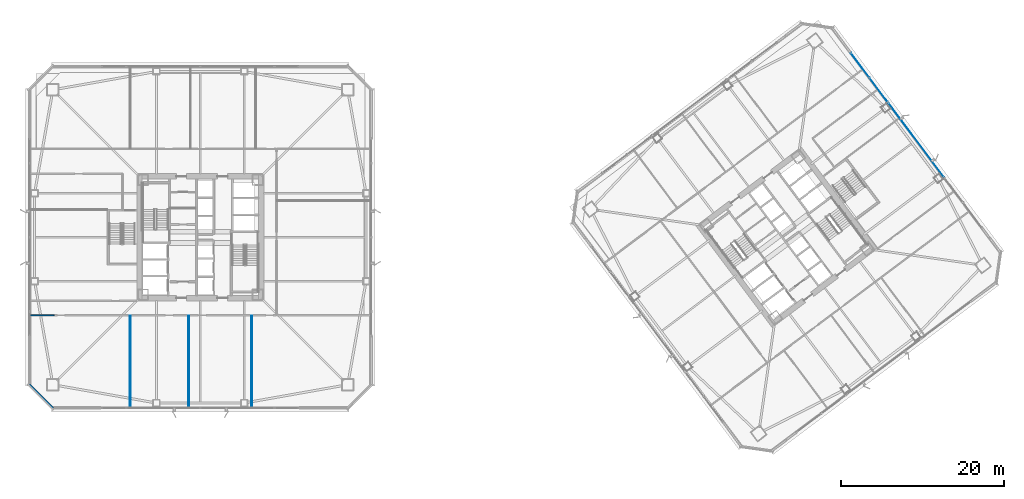
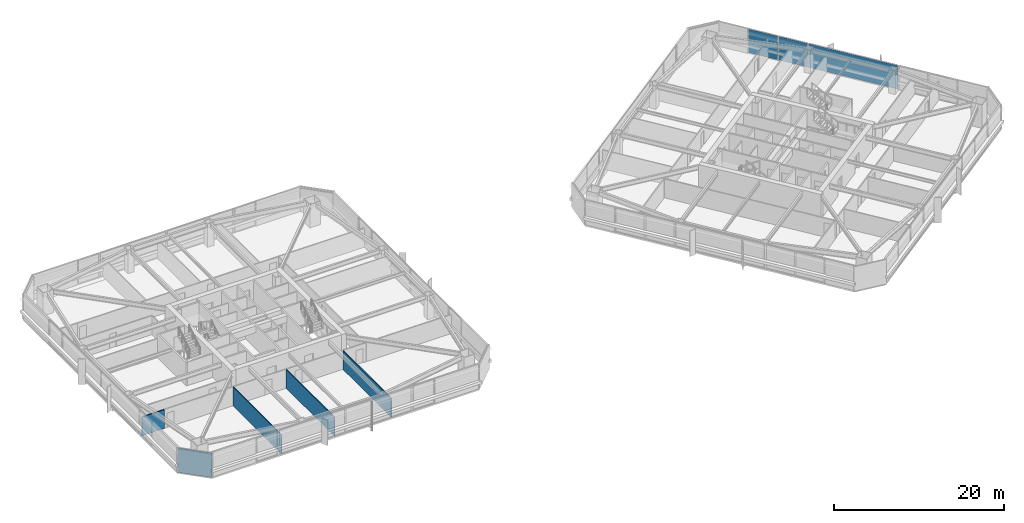
# One storey, part 35 of 49: 5 walls, 3 plates, 2 elements without a shape of their own.
"""IFC4 building model written with IfcOpenShell, lengths in metres."""

from ifc_helpers import new_model, si_unit, direction, frame, frame_2d, origin, origin_2d, place, context, subcontext, project, spatial, rectangle, extrude, material, layer, layer_set, type_object, element, aggregate, save


model = new_model("IFC4")

# Units and contexts
model_context = context("Model", 3, precision=1e-05, world=origin(), true_north=direction((0.0, 1.0)))
body_context = subcontext(model_context, "Body", "Model", "MODEL_VIEW")
ifc_project = project(units=[si_unit("LENGTHUNIT", "METRE"), si_unit("AREAUNIT", "SQUARE_METRE"), si_unit("VOLUMEUNIT", "CUBIC_METRE"), si_unit("PLANEANGLEUNIT", "RADIAN"), si_unit("MASSUNIT", "GRAM", prefix="KILO")], contexts=[model_context])

# Site, building, storey
site_placement = place(None, origin())
site = spatial("IfcSite", under=ifc_project, at=site_placement, CompositionType="ELEMENT")
building_placement = place(site_placement, origin())
building = spatial("IfcBuilding", under=site, at=building_placement, Name="Tashvorn Skyway Center", CompositionType="ELEMENT")
storey_placement = place(building_placement, frame((0.0, 0.0, 70.75)))
storey = spatial("IfcBuildingStorey", under=building, at=storey_placement, Name="L18", CompositionType="ELEMENT", Elevation=70.75)

# Curtain wall, plates
ifc_material_1 = material(Name="Thermally broken bronze-anodized aluminium 6063-T6", Category="aluminium")
curtain_wall_type = type_object("IfcCurtainWallType", Name="CW-CW-Z2", PredefinedType="NOTDEFINED", material=ifc_material_1)
curtain_wall_1_placement = place(storey_placement, origin())
curtain_wall_1 = element("IfcCurtainWall", 1, at=curtain_wall_1_placement, inside=storey, type_object=curtain_wall_type, Name="Tower 2 L18 East Unitised Curtain Wall Glazing Group 1", PredefinedType="NOTDEFINED")
ifc_material_2 = material(Name="Low-E solar-control double insulating safety glass", Category="glass")
ifc_layer_1 = layer(ifc_material_2, 0.0439453125)
ifc_layer_set_1 = layer_set([ifc_layer_1], Name="Low-E solar-control double insulating safety glass")
plate_type = type_object("IfcPlateType", Name="CWP-CW-Z2", PredefinedType="CURTAIN_PANEL", material=ifc_layer_set_1)
plate_1_placement = place(storey_placement, frame((123.00390625, 53.1279296875, 0.080078125), z_axis=(0.0, 0.0, 1.0), x_axis=(0.600000000002, -0.799999999998, 0.0)))
plate_1 = element("IfcPlate", 2, at=plate_1_placement, type_object=plate_type, Name="CW-Z2 panel 1.1", PredefinedType="CURTAIN_PANEL", context=body_context, shape_type="SweptSolid", body=[
    extrude(rectangle(XDim=3.719970703125, YDim=0.0439453125, at=origin_2d()), origin(), (0.0, 0.0, 1.0), 3.389892578125),
])
plate_2_placement = place(storey_placement, frame((125.283935546875, 50.087890625, 0.080078125), z_axis=(0.0, 0.0, 1.0), x_axis=(0.600000000002, -0.799999999998, 0.0)))
plate_2 = element("IfcPlate", 3, at=plate_2_placement, type_object=plate_type, Name="CW-Z2 panel 2.1", PredefinedType="CURTAIN_PANEL", context=body_context, shape_type="SweptSolid", body=[
    extrude(rectangle(XDim=3.719970703125, YDim=0.0439453125, at=origin_2d()), origin(), (0.0, 0.0, 1.0), 3.389892578125),
])
aggregate(curtain_wall_1, [plate_1, plate_2])

# Curtain wall, plate
curtain_wall_2_placement = place(storey_placement, origin())
curtain_wall_2 = element("IfcCurtainWall", 4, at=curtain_wall_2_placement, inside=storey, type_object=curtain_wall_type, Name="Tower 2 L18 East Unitised Curtain Wall Glazing Group 2", PredefinedType="NOTDEFINED")
plate_3_placement = place(storey_placement, frame((129.904052734375, 43.927978515625, 0.080078125), z_axis=(0.0, 0.0, 1.0), x_axis=(0.600000000002, -0.799999999998, 0.0)))
plate_3 = element("IfcPlate", 5, at=plate_3_placement, type_object=plate_type, Name="CW-Z2 panel 1.1", PredefinedType="CURTAIN_PANEL", context=body_context, shape_type="SweptSolid", body=[
    extrude(rectangle(XDim=11.360107421875, YDim=0.0439453125, at=origin_2d()), origin(), (0.0, 0.0, 1.0), 3.389892578125),
])
aggregate(curtain_wall_2, [plate_3])

# Walls
ifc_material_3 = material(Name="Precast concrete C40/50", Category="concrete")
ifc_layer_2 = layer(ifc_material_3, 0.280029296875)
ifc_layer_set_2 = layer_set([ifc_layer_2], Name="Precast concrete C40/50")
wall_type_1 = type_object("IfcWallType", Name="WALL-EXT-280", PredefinedType="SOLIDWALL", material=ifc_layer_set_2)
wall_1_placement = place(storey_placement, frame((23.89990234375, 11.0, 0.0), z_axis=(0.0, 0.0, 1.0), x_axis=(-0.707106781187, 0.707106781187, 0.0)))
element("IfcWall", 6, at=wall_1_placement, inside=storey, type_object=wall_type_1, Name="Tower 1 L18 SW Precast Chamfer Wall", PredefinedType="SOLIDWALL", context=body_context, shape_type="SweptSolid", body=[
    extrude(rectangle(XDim=4.10107421875, YDim=0.280029296875, at=frame_2d((2.050537109375, 0.0))), origin(), (0.0, 0.0, 1.0), 3.35009765625),
])
ifc_material_4 = material(Name="Gypsum board on cold-formed steel stud framing", Category="steel")
ifc_layer_3 = layer(ifc_material_4, 0.110107421875)
ifc_layer_set_3 = layer_set([ifc_layer_3], Name="Gypsum board on cold-formed steel stud framing")
wall_type_2 = type_object("IfcWallType", Name="WALL-PART-110", PredefinedType="PARTITIONING", material=ifc_layer_set_3)
for number, where, z_axis, x_axis, name in (
    (7, (33.39990234375, 11.02001953125, 0.0), (0.0, 0.0, 1.0), (0.0, 1.0, 0.0), "Tower 1 L18 South Suite Partition 1"),
    (8, (40.60009765625, 11.02001953125, 0.0), (0.0, 0.0, 1.0), (0.0, 1.0, 0.0), "Tower 1 L18 South Suite Partition 2"),
    (9, (48.300048828125, 11.02001953125, 0.0), (0.0, 0.0, 1.0), (0.0, 1.0, 0.0), "Tower 1 L18 South Suite Partition 3"),
):
    element("IfcWall", number, at=place(storey_placement, frame(where, z_axis=z_axis, x_axis=x_axis)), inside=storey, type_object=wall_type_2, Name=name, PredefinedType="PARTITIONING", context=body_context, shape_type="SweptSolid", body=[
        extrude(rectangle(XDim=11.330078125, YDim=0.110107421875, at=frame_2d((5.6650390625, 0.0))), origin(), (0.0, 0.0, 1.0), 2.702880859375),
    ])
ifc_layer_4 = layer(ifc_material_4, 0.135009765625)
ifc_layer_set_4 = layer_set([ifc_layer_4], Name="Gypsum board on cold-formed steel stud framing")
wall_type_3 = type_object("IfcWallType", Name="WALL-PART-135", PredefinedType="PARTITIONING", material=ifc_layer_set_4)
wall_2_placement = place(storey_placement, frame((21.02001953125, 22.429931640625, 0.0), z_axis=(0.0, 0.0, 1.0), x_axis=(1.0, 0.0, 0.0)))
element("IfcWall", 10, at=wall_2_placement, inside=storey, type_object=wall_type_3, Name="Tower 1 L18 South-West Suite North Wall", PredefinedType="PARTITIONING", context=body_context, shape_type="SweptSolid", body=[
    extrude(rectangle(XDim=3.030029296875, YDim=0.135009765625, at=frame_2d((1.51513671875, 0.0))), origin(), (0.0, 0.0, 1.0), 2.702880859375),
])

save(model, "model.ifc")
